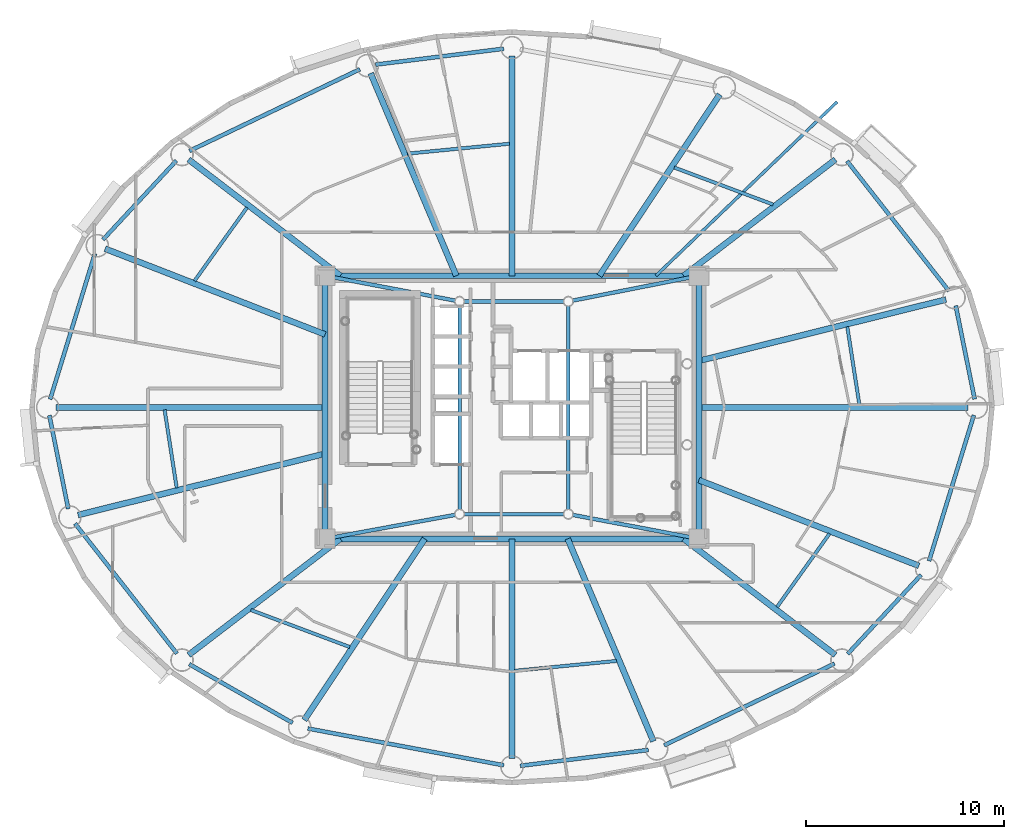
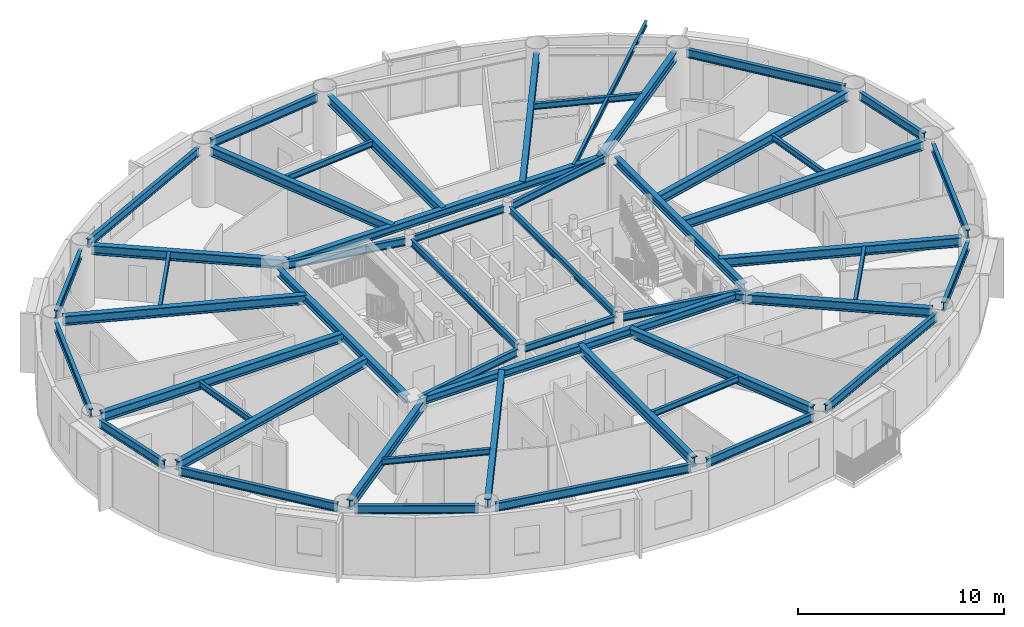
# One storey, part 3 of 18: 51 beams.
"""IFC4 building model written with IfcOpenShell, lengths in metres."""

from ifc_helpers import new_model, si_unit, direction, frame, origin, origin_2d, place, context, subcontext, project, spatial, i_section, extrude, material, material_profile, profile_set, type_object, element, save


model = new_model("IFC4")

# Units and contexts
model_context = context("Model", 3, precision=1e-05, world=origin(), true_north=direction((0.0, 1.0)))
body_context = subcontext(model_context, "Body", "Model", "MODEL_VIEW")
ifc_project = project(units=[si_unit("LENGTHUNIT", "METRE"), si_unit("AREAUNIT", "SQUARE_METRE"), si_unit("VOLUMEUNIT", "CUBIC_METRE"), si_unit("PLANEANGLEUNIT", "RADIAN"), si_unit("MASSUNIT", "GRAM", prefix="KILO")], contexts=[model_context])

# Site, building, storey
site_placement = place(None, origin())
site = spatial("IfcSite", under=ifc_project, at=site_placement, CompositionType="ELEMENT")
building_placement = place(site_placement, origin())
building = spatial("IfcBuilding", under=site, at=building_placement, Name="Linh Dai School and Residence Tower", CompositionType="ELEMENT")
storey_placement = place(building_placement, frame((0.0, 0.0, 225.300048828125)))
storey = spatial("IfcBuildingStorey", under=building, at=storey_placement, Name="L55", CompositionType="ELEMENT", Elevation=225.300048828125)

# Beams
ifc_material = material(Name="Structural Steel S355JR", Category="steel")
ifc_material_profile_1 = material_profile(ifc_material, i_section(OverallWidth=0.14990234375, OverallDepth=0.300048828125, WebThickness=0.007080078125, FlangeThickness=0.0107421875, at=origin_2d()), Name="IPE 300")
ifc_profile_set_1 = profile_set([ifc_material_profile_1], Name="Structural Steel S355JR")
beam_type_1 = type_object("IfcBeamType", Name="BM-BALC-CANT", PredefinedType="BEAM", material=ifc_profile_set_1)
beam_1_placement = place(storey_placement, frame((43.27392578125, 33.64990234375, 3.349853515625), z_axis=(0.7215581557, 0.692353831464, 0.0), x_axis=(-0.692353831464, 0.7215581557, 0.0)))
element("IfcBeam", 1, at=beam_1_placement, inside=storey, type_object=beam_type_1, Name="L56 Balcony Continuous Cantilever Beam 06", PredefinedType="BEAM", context=body_context, shape_type="SweptSolid", body=[
    extrude(i_section(OverallWidth=0.14990234375, OverallDepth=0.300048828125, WebThickness=0.007080078125, FlangeThickness=0.0107421875, at=origin_2d()), origin(), (0.0, 0.0, 1.0), 12.706787109375),
])
ifc_material_profile_2 = material_profile(ifc_material, i_section(OverallWidth=0.199951171875, OverallDepth=0.5, WebThickness=0.01025390625, FlangeThickness=0.01611328125, FilletRadius=0.02099609375, at=origin_2d()), Name="IPE 500")
ifc_profile_set_2 = profile_set([ifc_material_profile_2], Name="Structural Steel S355JR")
beam_type_2 = type_object("IfcBeamType", Name="BM-RB50", PredefinedType="BEAM", material=ifc_profile_set_2)
beam_2_placement = place(storey_placement, frame((59.3916015625, 27.41162109375, 3.25), z_axis=(-0.198423200906, 0.980116438666, 0.0), x_axis=(-0.980116438666, -0.198423200906, 0.0)))
element("IfcBeam", 2, at=beam_2_placement, inside=storey, type_object=beam_type_2, Name="L55 Perimeter Elliptical Ring Beam 01", PredefinedType="BEAM", context=body_context, shape_type="SweptSolid", body=[
    extrude(i_section(OverallWidth=0.199951171875, OverallDepth=0.5, WebThickness=0.01025390625, FlangeThickness=0.01611328125, FilletRadius=0.02099609375, at=origin_2d()), origin(), (0.0, 0.0, 1.0), 4.822021484375),
])
beam_3_placement = place(storey_placement, frame((58.09228515625, 32.8798828125, 3.25), z_axis=(-0.616900268003, 0.787041332674, 0.0), x_axis=(-0.787041332674, -0.616900268003, 0.0)))
element("IfcBeam", 3, at=beam_3_placement, inside=storey, type_object=beam_type_2, Name="L55 Perimeter Elliptical Ring Beam 02", PredefinedType="BEAM", context=body_context, shape_type="SweptSolid", body=[
    extrude(i_section(OverallWidth=0.199951171875, OverallDepth=0.5, WebThickness=0.01025390625, FlangeThickness=0.01611328125, FilletRadius=0.02099609375, at=origin_2d()), origin(), (0.0, 0.0, 1.0), 8.348388671875),
])
beam_4_placement = place(storey_placement, frame((35.583251953125, 45.12841796875, 3.25), z_axis=(-0.992401656104, -0.123040452539, 0.0), x_axis=(0.123040452539, -0.992401656104, 0.0)))
element("IfcBeam", 4, at=beam_4_placement, inside=storey, type_object=beam_type_2, Name="L55 Perimeter Elliptical Ring Beam 05", PredefinedType="BEAM", context=body_context, shape_type="SweptSolid", body=[
    extrude(i_section(OverallWidth=0.199951171875, OverallDepth=0.5, WebThickness=0.01025390625, FlangeThickness=0.01611328125, FilletRadius=0.02099609375, at=origin_2d()), origin(), (0.0, 0.0, 1.0), 6.528076171875),
])
beam_5_placement = place(storey_placement, frame((28.309326171875, 44.092041015625, 3.25), z_axis=(-0.901735920201, -0.432287323686, 0.0), x_axis=(0.432287323686, -0.901735920201, 0.0)))
element("IfcBeam", 5, at=beam_5_placement, inside=storey, type_object=beam_type_2, Name="L55 Perimeter Elliptical Ring Beam 06", PredefinedType="BEAM", context=body_context, shape_type="SweptSolid", body=[
    extrude(i_section(OverallWidth=0.199951171875, OverallDepth=0.5, WebThickness=0.01025390625, FlangeThickness=0.01611328125, FilletRadius=0.02099609375, at=origin_2d()), origin(), (0.0, 0.0, 1.0), 9.552490234375),
])
beam_6_placement = place(storey_placement, frame((19.031005859375, 39.47314453125, 3.25), z_axis=(-0.68040816846, -0.732833353699, 0.0), x_axis=(0.732833353699, -0.68040816846, 0.0)))
element("IfcBeam", 6, at=beam_6_placement, inside=storey, type_object=beam_type_2, Name="L55 Perimeter Elliptical Ring Beam 07", PredefinedType="BEAM", context=body_context, shape_type="SweptSolid", body=[
    extrude(i_section(OverallWidth=0.199951171875, OverallDepth=0.5, WebThickness=0.01025390625, FlangeThickness=0.01611328125, FilletRadius=0.02099609375, at=origin_2d()), origin(), (0.0, 0.0, 1.0), 5.453369140625),
])
beam_7_placement = place(storey_placement, frame((14.911376953125, 34.767578125, 3.25), z_axis=(-0.293660595717, -0.95590975229, 0.0), x_axis=(0.95590975229, -0.293660595717, 0.0)))
element("IfcBeam", 7, at=beam_7_placement, inside=storey, type_object=beam_type_2, Name="L55 Perimeter Elliptical Ring Beam 08", PredefinedType="BEAM", context=body_context, shape_type="SweptSolid", body=[
    extrude(i_section(OverallWidth=0.199951171875, OverallDepth=0.5, WebThickness=0.01025390625, FlangeThickness=0.01611328125, FilletRadius=0.02099609375, at=origin_2d()), origin(), (0.0, 0.0, 1.0), 7.7060546875),
])
beam_8_placement = place(storey_placement, frame((12.6083984375, 26.58837890625, 3.25), z_axis=(0.198423200906, -0.980116438666, 0.0), x_axis=(0.980116438666, 0.198423200906, 0.0)))
element("IfcBeam", 8, at=beam_8_placement, inside=storey, type_object=beam_type_2, Name="L55 Perimeter Elliptical Ring Beam 09", PredefinedType="BEAM", context=body_context, shape_type="SweptSolid", body=[
    extrude(i_section(OverallWidth=0.199951171875, OverallDepth=0.5, WebThickness=0.01025390625, FlangeThickness=0.01611328125, FilletRadius=0.02099609375, at=origin_2d()), origin(), (0.0, 0.0, 1.0), 4.822021484375),
])
beam_9_placement = place(storey_placement, frame((13.90771484375, 21.1201171875, 3.25), z_axis=(0.616900268003, -0.787041332674, 0.0), x_axis=(0.787041332674, 0.616900268003, 0.0)))
element("IfcBeam", 9, at=beam_9_placement, inside=storey, type_object=beam_type_2, Name="L55 Perimeter Elliptical Ring Beam 10", PredefinedType="BEAM", context=body_context, shape_type="SweptSolid", body=[
    extrude(i_section(OverallWidth=0.199951171875, OverallDepth=0.5, WebThickness=0.01025390625, FlangeThickness=0.01611328125, FilletRadius=0.02099609375, at=origin_2d()), origin(), (0.0, 0.0, 1.0), 8.348388671875),
])
beam_10_placement = place(storey_placement, frame((19.681884765625, 14.011474609375, 3.25), z_axis=(0.869297314463, -0.494289570058, 0.0), x_axis=(0.494289570058, 0.869297314463, 0.0)))
element("IfcBeam", 10, at=beam_10_placement, inside=storey, type_object=beam_type_2, Name="L55 Perimeter Elliptical Ring Beam 11", PredefinedType="BEAM", context=body_context, shape_type="SweptSolid", body=[
    extrude(i_section(OverallWidth=0.199951171875, OverallDepth=0.5, WebThickness=0.01025390625, FlangeThickness=0.01611328125, FilletRadius=0.02099609375, at=origin_2d()), origin(), (0.0, 0.0, 1.0), 6.003173828125),
])
beam_11_placement = place(storey_placement, frame((25.67822265625, 10.759033203125, 3.25), z_axis=(0.982806607762, -0.184637947722, 0.0), x_axis=(0.184637947722, 0.982806607762, 0.0)))
element("IfcBeam", 11, at=beam_11_placement, inside=storey, type_object=beam_type_2, Name="L55 Perimeter Elliptical Ring Beam 12", PredefinedType="BEAM", context=body_context, shape_type="SweptSolid", body=[
    extrude(i_section(OverallWidth=0.199951171875, OverallDepth=0.5, WebThickness=0.01025390625, FlangeThickness=0.01611328125, FilletRadius=0.02099609375, at=origin_2d()), origin(), (0.0, 0.0, 1.0), 10.082275390625),
])
beam_12_placement = place(storey_placement, frame((36.416748046875, 8.87158203125, 3.25), z_axis=(0.992401656104, 0.123040452539, 0.0), x_axis=(-0.123040452539, 0.992401656104, 0.0)))
element("IfcBeam", 12, at=beam_12_placement, inside=storey, type_object=beam_type_2, Name="L55 Perimeter Elliptical Ring Beam 13", PredefinedType="BEAM", context=body_context, shape_type="SweptSolid", body=[
    extrude(i_section(OverallWidth=0.199951171875, OverallDepth=0.5, WebThickness=0.01025390625, FlangeThickness=0.01611328125, FilletRadius=0.02099609375, at=origin_2d()), origin(), (0.0, 0.0, 1.0), 6.528076171875),
])
beam_13_placement = place(storey_placement, frame((43.690673828125, 9.907958984375, 3.25), z_axis=(0.901735920201, 0.432287323686, 0.0), x_axis=(-0.432287323686, 0.901735920201, 0.0)))
element("IfcBeam", 13, at=beam_13_placement, inside=storey, type_object=beam_type_2, Name="L55 Perimeter Elliptical Ring Beam 14", PredefinedType="BEAM", context=body_context, shape_type="SweptSolid", body=[
    extrude(i_section(OverallWidth=0.199951171875, OverallDepth=0.5, WebThickness=0.01025390625, FlangeThickness=0.01611328125, FilletRadius=0.02099609375, at=origin_2d()), origin(), (0.0, 0.0, 1.0), 9.552490234375),
])
beam_14_placement = place(storey_placement, frame((52.968994140625, 14.52685546875, 3.25), z_axis=(0.68040816846, 0.732833353699, 0.0), x_axis=(-0.732833353699, 0.68040816846, 0.0)))
element("IfcBeam", 14, at=beam_14_placement, inside=storey, type_object=beam_type_2, Name="L55 Perimeter Elliptical Ring Beam 15", PredefinedType="BEAM", context=body_context, shape_type="SweptSolid", body=[
    extrude(i_section(OverallWidth=0.199951171875, OverallDepth=0.5, WebThickness=0.01025390625, FlangeThickness=0.01611328125, FilletRadius=0.02099609375, at=origin_2d()), origin(), (0.0, 0.0, 1.0), 5.453369140625),
])
beam_15_placement = place(storey_placement, frame((57.088623046875, 19.232421875, 3.25), z_axis=(0.293660595717, 0.95590975229, 0.0), x_axis=(-0.95590975229, 0.293660595717, 0.0)))
element("IfcBeam", 15, at=beam_15_placement, inside=storey, type_object=beam_type_2, Name="L55 Perimeter Elliptical Ring Beam 16", PredefinedType="BEAM", context=body_context, shape_type="SweptSolid", body=[
    extrude(i_section(OverallWidth=0.199951171875, OverallDepth=0.5, WebThickness=0.01025390625, FlangeThickness=0.01611328125, FilletRadius=0.02099609375, at=origin_2d()), origin(), (0.0, 0.0, 1.0), 7.7060546875),
])
ifc_material_profile_3 = material_profile(ifc_material, i_section(OverallWidth=0.300048828125, OverallDepth=0.449951171875, WebThickness=0.013916015625, FlangeThickness=0.02587890625, FilletRadius=0.027099609375, at=origin_2d()), Name="HEB 450")
ifc_profile_set_3 = profile_set([ifc_material_profile_3], Name="Structural Steel S355JR")
beam_type_3 = type_object("IfcBeamType", Name="BM-RG45", PredefinedType="BEAM", material=ifc_profile_set_3)
beam_16_placement = place(storey_placement, frame((26.969970703125, 20.35009765625, 3.27490234375), z_axis=(1.0, 0.0, 0.0), x_axis=(0.0, 1.0, 0.0)))
element("IfcBeam", 16, at=beam_16_placement, inside=storey, type_object=beam_type_3, Name="L55 Core Perimeter Coupling Girder 1", PredefinedType="BEAM", context=body_context, shape_type="SweptSolid", body=[
    extrude(i_section(OverallWidth=0.300048828125, OverallDepth=0.449951171875, WebThickness=0.013916015625, FlangeThickness=0.02587890625, FilletRadius=0.027099609375, at=origin_2d()), origin(), (0.0, 0.0, 1.0), 18.06005859375),
])
beam_17_placement = place(storey_placement, frame((45.449951171875, 20.77001953125, 3.27490234375), z_axis=(0.0, 1.0, 0.0), x_axis=(-1.0, 0.0, 0.0)))
element("IfcBeam", 17, at=beam_17_placement, inside=storey, type_object=beam_type_3, Name="L55 Core Perimeter Coupling Girder 2", PredefinedType="BEAM", context=body_context, shape_type="SweptSolid", body=[
    extrude(i_section(OverallWidth=0.300048828125, OverallDepth=0.449951171875, WebThickness=0.013916015625, FlangeThickness=0.02587890625, FilletRadius=0.027099609375, at=origin_2d()), origin(), (0.0, 0.0, 1.0), 12.4599609375),
])
beam_18_placement = place(storey_placement, frame((45.030029296875, 33.64990234375, 3.27490234375), z_axis=(-1.0, 0.0, 0.0), x_axis=(0.0, -1.0, 0.0)))
element("IfcBeam", 18, at=beam_18_placement, inside=storey, type_object=beam_type_3, Name="L55 Core Perimeter Coupling Girder 3", PredefinedType="BEAM", context=body_context, shape_type="SweptSolid", body=[
    extrude(i_section(OverallWidth=0.300048828125, OverallDepth=0.449951171875, WebThickness=0.013916015625, FlangeThickness=0.02587890625, FilletRadius=0.027099609375, at=origin_2d()), origin(), (0.0, 0.0, 1.0), 18.06005859375),
])
beam_19_placement = place(storey_placement, frame((26.550048828125, 33.22998046875, 3.27490234375), z_axis=(0.0, -1.0, 0.0), x_axis=(1.0, 0.0, 0.0)))
element("IfcBeam", 19, at=beam_19_placement, inside=storey, type_object=beam_type_3, Name="L55 Core Perimeter Coupling Girder 4", PredefinedType="BEAM", context=body_context, shape_type="SweptSolid", body=[
    extrude(i_section(OverallWidth=0.300048828125, OverallDepth=0.449951171875, WebThickness=0.013916015625, FlangeThickness=0.02587890625, FilletRadius=0.027099609375, at=origin_2d()), origin(), (0.0, 0.0, 1.0), 12.4599609375),
])
ifc_material_profile_4 = material_profile(ifc_material, i_section(OverallWidth=0.300048828125, OverallDepth=0.550048828125, WebThickness=0.014892578125, FlangeThickness=0.029052734375, FilletRadius=0.027099609375, at=origin_2d()), Name="HEB 550")
ifc_profile_set_4 = profile_set([ifc_material_profile_4], Name="Structural Steel S355JR")
beam_type_4 = type_object("IfcBeamType", Name="BM-RG55", PredefinedType="BEAM", material=ifc_profile_set_4)
beam_20_placement = place(storey_placement, frame((45.449951171875, 27.0, 3.224853515625), z_axis=(1.0, 0.0, 0.0), x_axis=(0.0, 1.0, 0.0)))
element("IfcBeam", 20, at=beam_20_placement, inside=storey, type_object=beam_type_4, Name="L55 Primary Radial Floor Girder 01", PredefinedType="BEAM", context=body_context, shape_type="SweptSolid", body=[
    extrude(i_section(OverallWidth=0.300048828125, OverallDepth=0.550048828125, WebThickness=0.014892578125, FlangeThickness=0.029052734375, FilletRadius=0.027099609375, at=origin_2d()), origin(), (0.0, 0.0, 1.0), 13.60498046875),
])
beam_21_placement = place(storey_placement, frame((45.449951171875, 29.34619140625, 3.224853515625), z_axis=(0.970537241974, 0.240951160904, 0.0), x_axis=(-0.240951160904, 0.970537241974, 0.0)))
element("IfcBeam", 21, at=beam_21_placement, inside=storey, type_object=beam_type_4, Name="L55 Primary Radial Floor Girder 02", PredefinedType="BEAM", context=body_context, shape_type="SweptSolid", body=[
    extrude(i_section(OverallWidth=0.300048828125, OverallDepth=0.550048828125, WebThickness=0.014892578125, FlangeThickness=0.029052734375, FilletRadius=0.027099609375, at=origin_2d()), origin(), (0.0, 0.0, 1.0), 12.873291015625),
])
beam_22_placement = place(storey_placement, frame((44.680419921875, 33.64990234375, 3.224853515625), z_axis=(0.793814553483, 0.608159892363, 0.0), x_axis=(-0.608159892363, 0.793814553483, 0.0)))
element("IfcBeam", 22, at=beam_22_placement, inside=storey, type_object=beam_type_4, Name="L55 Primary Radial Floor Girder 03", PredefinedType="BEAM", context=body_context, shape_type="SweptSolid", body=[
    extrude(i_section(OverallWidth=0.300048828125, OverallDepth=0.550048828125, WebThickness=0.014892578125, FlangeThickness=0.029052734375, FilletRadius=0.027099609375, at=origin_2d()), origin(), (0.0, 0.0, 1.0), 9.661376953125),
])
beam_23_placement = place(storey_placement, frame((40.41650390625, 33.64990234375, 3.224853515625), z_axis=(0.553219177991, 0.833035738191, 0.0), x_axis=(-0.833035738191, 0.553219177991, 0.0)))
element("IfcBeam", 23, at=beam_23_placement, inside=storey, type_object=beam_type_4, Name="L55 Primary Radial Floor Girder 04", PredefinedType="BEAM", context=body_context, shape_type="SweptSolid", body=[
    extrude(i_section(OverallWidth=0.300048828125, OverallDepth=0.550048828125, WebThickness=0.014892578125, FlangeThickness=0.029052734375, FilletRadius=0.027099609375, at=origin_2d()), origin(), (0.0, 0.0, 1.0), 11.00048828125),
])
beam_24_placement = place(storey_placement, frame((36.0, 33.64990234375, 3.224853515625), z_axis=(0.0, 1.0, 0.0), x_axis=(-1.0, 0.0, 0.0)))
element("IfcBeam", 24, at=beam_24_placement, inside=storey, type_object=beam_type_4, Name="L55 Primary Radial Floor Girder 05", PredefinedType="BEAM", context=body_context, shape_type="SweptSolid", body=[
    extrude(i_section(OverallWidth=0.300048828125, OverallDepth=0.550048828125, WebThickness=0.014892578125, FlangeThickness=0.029052734375, FilletRadius=0.027099609375, at=origin_2d()), origin(), (0.0, 0.0, 1.0), 11.110107421875),
])
beam_25_placement = place(storey_placement, frame((33.18505859375, 33.64990234375, 3.224853515625), z_axis=(-0.389814803082, 0.920893272479, 0.0), x_axis=(-0.920893272479, -0.389814803082, 0.0)))
element("IfcBeam", 25, at=beam_25_placement, inside=storey, type_object=beam_type_4, Name="L55 Primary Radial Floor Girder 06", PredefinedType="BEAM", context=body_context, shape_type="SweptSolid", body=[
    extrude(i_section(OverallWidth=0.300048828125, OverallDepth=0.550048828125, WebThickness=0.014892578125, FlangeThickness=0.029052734375, FilletRadius=0.027099609375, at=origin_2d()), origin(), (0.0, 0.0, 1.0), 11.1162109375),
])
beam_26_placement = place(storey_placement, frame((27.319580078125, 33.64990234375, 3.224853515625), z_axis=(-0.793814553483, 0.608159892363, 0.0), x_axis=(-0.608159892363, -0.793814553483, 0.0)))
element("IfcBeam", 26, at=beam_26_placement, inside=storey, type_object=beam_type_4, Name="L55 Primary Radial Floor Girder 07", PredefinedType="BEAM", context=body_context, shape_type="SweptSolid", body=[
    extrude(i_section(OverallWidth=0.300048828125, OverallDepth=0.550048828125, WebThickness=0.014892578125, FlangeThickness=0.029052734375, FilletRadius=0.027099609375, at=origin_2d()), origin(), (0.0, 0.0, 1.0), 9.661376953125),
])
beam_27_placement = place(storey_placement, frame((26.550048828125, 30.68212890625, 3.224853515625), z_axis=(-0.931764994123, 0.363061972295, 0.0), x_axis=(-0.363061972295, -0.931764994123, 0.0)))
element("IfcBeam", 27, at=beam_27_placement, inside=storey, type_object=beam_type_4, Name="L55 Primary Radial Floor Girder 08", PredefinedType="BEAM", context=body_context, shape_type="SweptSolid", body=[
    extrude(i_section(OverallWidth=0.300048828125, OverallDepth=0.550048828125, WebThickness=0.014892578125, FlangeThickness=0.029052734375, FilletRadius=0.027099609375, at=origin_2d()), origin(), (0.0, 0.0, 1.0), 11.938720703125),
])
beam_28_placement = place(storey_placement, frame((26.550048828125, 27.0, 3.224853515625), z_axis=(-1.0, 0.0, 0.0), x_axis=(0.0, -1.0, 0.0)))
element("IfcBeam", 28, at=beam_28_placement, inside=storey, type_object=beam_type_4, Name="L55 Primary Radial Floor Girder 09", PredefinedType="BEAM", context=body_context, shape_type="SweptSolid", body=[
    extrude(i_section(OverallWidth=0.300048828125, OverallDepth=0.550048828125, WebThickness=0.014892578125, FlangeThickness=0.029052734375, FilletRadius=0.027099609375, at=origin_2d()), origin(), (0.0, 0.0, 1.0), 13.60498046875),
])
beam_29_placement = place(storey_placement, frame((26.550048828125, 24.65380859375, 3.224853515625), z_axis=(-0.970537241974, -0.240951160904, 0.0), x_axis=(0.240951160904, -0.970537241974, 0.0)))
element("IfcBeam", 29, at=beam_29_placement, inside=storey, type_object=beam_type_4, Name="L55 Primary Radial Floor Girder 10", PredefinedType="BEAM", context=body_context, shape_type="SweptSolid", body=[
    extrude(i_section(OverallWidth=0.300048828125, OverallDepth=0.550048828125, WebThickness=0.014892578125, FlangeThickness=0.029052734375, FilletRadius=0.027099609375, at=origin_2d()), origin(), (0.0, 0.0, 1.0), 12.873291015625),
])
beam_30_placement = place(storey_placement, frame((27.319580078125, 20.35009765625, 3.224853515625), z_axis=(-0.793814553483, -0.608159892363, 0.0), x_axis=(0.608159892363, -0.793814553483, 0.0)))
element("IfcBeam", 30, at=beam_30_placement, inside=storey, type_object=beam_type_4, Name="L55 Primary Radial Floor Girder 11", PredefinedType="BEAM", context=body_context, shape_type="SweptSolid", body=[
    extrude(i_section(OverallWidth=0.300048828125, OverallDepth=0.550048828125, WebThickness=0.014892578125, FlangeThickness=0.029052734375, FilletRadius=0.027099609375, at=origin_2d()), origin(), (0.0, 0.0, 1.0), 9.661376953125),
])
beam_31_placement = place(storey_placement, frame((31.58349609375, 20.35009765625, 3.224853515625), z_axis=(-0.553219177991, -0.833035738191, 0.0), x_axis=(0.833035738191, -0.553219177991, 0.0)))
element("IfcBeam", 31, at=beam_31_placement, inside=storey, type_object=beam_type_4, Name="L55 Primary Radial Floor Girder 12", PredefinedType="BEAM", context=body_context, shape_type="SweptSolid", body=[
    extrude(i_section(OverallWidth=0.300048828125, OverallDepth=0.550048828125, WebThickness=0.014892578125, FlangeThickness=0.029052734375, FilletRadius=0.027099609375, at=origin_2d()), origin(), (0.0, 0.0, 1.0), 11.00048828125),
])
beam_32_placement = place(storey_placement, frame((36.0, 20.35009765625, 3.224853515625), z_axis=(0.0, -1.0, 0.0), x_axis=(1.0, 0.0, 0.0)))
element("IfcBeam", 32, at=beam_32_placement, inside=storey, type_object=beam_type_4, Name="L55 Primary Radial Floor Girder 13", PredefinedType="BEAM", context=body_context, shape_type="SweptSolid", body=[
    extrude(i_section(OverallWidth=0.300048828125, OverallDepth=0.550048828125, WebThickness=0.014892578125, FlangeThickness=0.029052734375, FilletRadius=0.027099609375, at=origin_2d()), origin(), (0.0, 0.0, 1.0), 11.110107421875),
])
beam_33_placement = place(storey_placement, frame((38.81494140625, 20.35009765625, 3.224853515625), z_axis=(0.389814803082, -0.920893272479, 0.0), x_axis=(0.920893272479, 0.389814803082, 0.0)))
element("IfcBeam", 33, at=beam_33_placement, inside=storey, type_object=beam_type_4, Name="L55 Primary Radial Floor Girder 14", PredefinedType="BEAM", context=body_context, shape_type="SweptSolid", body=[
    extrude(i_section(OverallWidth=0.300048828125, OverallDepth=0.550048828125, WebThickness=0.014892578125, FlangeThickness=0.029052734375, FilletRadius=0.027099609375, at=origin_2d()), origin(), (0.0, 0.0, 1.0), 11.1162109375),
])
beam_34_placement = place(storey_placement, frame((44.680419921875, 20.35009765625, 3.224853515625), z_axis=(0.793814553483, -0.608159892363, 0.0), x_axis=(0.608159892363, 0.793814553483, 0.0)))
element("IfcBeam", 34, at=beam_34_placement, inside=storey, type_object=beam_type_4, Name="L55 Primary Radial Floor Girder 15", PredefinedType="BEAM", context=body_context, shape_type="SweptSolid", body=[
    extrude(i_section(OverallWidth=0.300048828125, OverallDepth=0.550048828125, WebThickness=0.014892578125, FlangeThickness=0.029052734375, FilletRadius=0.027099609375, at=origin_2d()), origin(), (0.0, 0.0, 1.0), 9.661376953125),
])
beam_35_placement = place(storey_placement, frame((45.449951171875, 23.31787109375, 3.224853515625), z_axis=(0.931764994123, -0.363061972295, 0.0), x_axis=(0.363061972295, 0.931764994123, 0.0)))
element("IfcBeam", 35, at=beam_35_placement, inside=storey, type_object=beam_type_4, Name="L55 Primary Radial Floor Girder 16", PredefinedType="BEAM", context=body_context, shape_type="SweptSolid", body=[
    extrude(i_section(OverallWidth=0.300048828125, OverallDepth=0.550048828125, WebThickness=0.014892578125, FlangeThickness=0.029052734375, FilletRadius=0.027099609375, at=origin_2d()), origin(), (0.0, 0.0, 1.0), 11.938720703125),
])
ifc_material_profile_5 = material_profile(ifc_material, i_section(OverallWidth=0.169921875, OverallDepth=0.360107421875, WebThickness=0.008056640625, FlangeThickness=0.0126953125, FilletRadius=0.01806640625, at=origin_2d()), Name="IPE 360")
ifc_profile_set_5 = profile_set([ifc_material_profile_5], Name="Structural Steel S355JR")
beam_type_5 = type_object("IfcBeamType", Name="BM-SB36", PredefinedType="BEAM", material=ifc_profile_set_5)
beam_36_placement = place(storey_placement, frame((53.564697265625, 27.12841796875, 3.320068359375), z_axis=(-0.153237508203, 0.988189387759, 0.0), x_axis=(-0.988189387759, -0.153237508203, 0.0)))
element("IfcBeam", 36, at=beam_36_placement, inside=storey, type_object=beam_type_5, Name="L55 Secondary Circumferential Floor Beam 01", PredefinedType="BEAM", context=body_context, shape_type="SweptSolid", body=[
    extrude(i_section(OverallWidth=0.169921875, OverallDepth=0.360107421875, WebThickness=0.008056640625, FlangeThickness=0.0126953125, FilletRadius=0.01806640625, at=origin_2d()), origin(), (0.0, 0.0, 1.0), 3.994140625),
])
beam_37_placement = place(storey_placement, frame((49.2001953125, 37.25146484375, 3.320068359375), z_axis=(-0.936528326754, 0.350591918315, 0.0), x_axis=(-0.350591918315, -0.936528326754, 0.0)))
element("IfcBeam", 37, at=beam_37_placement, inside=storey, type_object=beam_type_5, Name="L55 Secondary Circumferential Floor Beam 02", PredefinedType="BEAM", context=body_context, shape_type="SweptSolid", body=[
    extrude(i_section(OverallWidth=0.169921875, OverallDepth=0.360107421875, WebThickness=0.008056640625, FlangeThickness=0.0126953125, FilletRadius=0.01806640625, at=origin_2d()), origin(), (0.0, 0.0, 1.0), 5.336181640625),
])
beam_38_placement = place(storey_placement, frame((35.87060546875, 40.324951171875, 3.320068359375), z_axis=(-0.995332680487, -0.096503135467, 0.0), x_axis=(0.096503135467, -0.995332680487, 0.0)))
element("IfcBeam", 38, at=beam_38_placement, inside=storey, type_object=beam_type_5, Name="L55 Secondary Circumferential Floor Beam 03", PredefinedType="BEAM", context=body_context, shape_type="SweptSolid", body=[
    extrude(i_section(OverallWidth=0.169921875, OverallDepth=0.360107421875, WebThickness=0.008056640625, FlangeThickness=0.0126953125, FilletRadius=0.01806640625, at=origin_2d()), origin(), (0.0, 0.0, 1.0), 5.188720703125),
])
beam_39_placement = place(storey_placement, frame((22.602294921875, 37.100341796875, 3.320068359375), z_axis=(-0.582017423054, -0.813176314991, 0.0), x_axis=(0.813176314991, -0.582017423054, 0.0)))
element("IfcBeam", 39, at=beam_39_placement, inside=storey, type_object=beam_type_5, Name="L55 Secondary Circumferential Floor Beam 04", PredefinedType="BEAM", context=body_context, shape_type="SweptSolid", body=[
    extrude(i_section(OverallWidth=0.169921875, OverallDepth=0.360107421875, WebThickness=0.008056640625, FlangeThickness=0.0126953125, FilletRadius=0.01806640625, at=origin_2d()), origin(), (0.0, 0.0, 1.0), 4.5625),
])
beam_40_placement = place(storey_placement, frame((18.435302734375, 26.87158203125, 3.320068359375), z_axis=(0.153237508203, -0.988189387759, 0.0), x_axis=(0.988189387759, 0.153237508203, 0.0)))
element("IfcBeam", 40, at=beam_40_placement, inside=storey, type_object=beam_type_5, Name="L55 Secondary Circumferential Floor Beam 05", PredefinedType="BEAM", context=body_context, shape_type="SweptSolid", body=[
    extrude(i_section(OverallWidth=0.169921875, OverallDepth=0.360107421875, WebThickness=0.008056640625, FlangeThickness=0.0126953125, FilletRadius=0.01806640625, at=origin_2d()), origin(), (0.0, 0.0, 1.0), 3.994140625),
])
beam_41_placement = place(storey_placement, frame((22.7998046875, 16.74853515625, 3.320068359375), z_axis=(0.936528326754, -0.350591918315, 0.0), x_axis=(0.350591918315, 0.936528326754, 0.0)))
element("IfcBeam", 41, at=beam_41_placement, inside=storey, type_object=beam_type_5, Name="L55 Secondary Circumferential Floor Beam 06", PredefinedType="BEAM", context=body_context, shape_type="SweptSolid", body=[
    extrude(i_section(OverallWidth=0.169921875, OverallDepth=0.360107421875, WebThickness=0.008056640625, FlangeThickness=0.0126953125, FilletRadius=0.01806640625, at=origin_2d()), origin(), (0.0, 0.0, 1.0), 5.336181640625),
])
beam_42_placement = place(storey_placement, frame((36.12939453125, 13.675048828125, 3.320068359375), z_axis=(0.995332680487, 0.096503135467, 0.0), x_axis=(-0.096503135467, 0.995332680487, 0.0)))
element("IfcBeam", 42, at=beam_42_placement, inside=storey, type_object=beam_type_5, Name="L55 Secondary Circumferential Floor Beam 07", PredefinedType="BEAM", context=body_context, shape_type="SweptSolid", body=[
    extrude(i_section(OverallWidth=0.169921875, OverallDepth=0.360107421875, WebThickness=0.008056640625, FlangeThickness=0.0126953125, FilletRadius=0.01806640625, at=origin_2d()), origin(), (0.0, 0.0, 1.0), 5.188720703125),
])
beam_43_placement = place(storey_placement, frame((49.397705078125, 16.899658203125, 3.320068359375), z_axis=(0.582017423054, 0.813176314991, 0.0), x_axis=(-0.813176314991, 0.582017423054, 0.0)))
element("IfcBeam", 43, at=beam_43_placement, inside=storey, type_object=beam_type_5, Name="L55 Secondary Circumferential Floor Beam 08", PredefinedType="BEAM", context=body_context, shape_type="SweptSolid", body=[
    extrude(i_section(OverallWidth=0.169921875, OverallDepth=0.360107421875, WebThickness=0.008056640625, FlangeThickness=0.0126953125, FilletRadius=0.01806640625, at=origin_2d()), origin(), (0.0, 0.0, 1.0), 4.5625),
])
ifc_material_profile_6 = material_profile(ifc_material, i_section(OverallWidth=0.179931640625, OverallDepth=0.39990234375, WebThickness=0.008544921875, FlangeThickness=0.013427734375, FilletRadius=0.02099609375, at=origin_2d()), Name="IPE 400")
ifc_profile_set_6 = profile_set([ifc_material_profile_6], Name="Structural Steel S355JR")
beam_type_6 = type_object("IfcBeamType", Name="BM-SB40", PredefinedType="BEAM", material=ifc_profile_set_6)
beam_44_placement = place(storey_placement, frame((33.573974609375, 21.60009765625, 3.300048828125), z_axis=(1.0, 0.0, 0.0), x_axis=(0.0, 1.0, 0.0)))
element("IfcBeam", 44, at=beam_44_placement, inside=storey, type_object=beam_type_6, Name="L55 Core Mast Pier Tie Beam 1", PredefinedType="BEAM", context=body_context, shape_type="SweptSolid", body=[
    extrude(i_section(OverallWidth=0.179931640625, OverallDepth=0.39990234375, WebThickness=0.008544921875, FlangeThickness=0.013427734375, FilletRadius=0.02099609375, at=origin_2d()), origin(), (0.0, 0.0, 1.0), 5.052001953125),
])
beam_45_placement = place(storey_placement, frame((38.85009765625, 21.823974609375, 3.300048828125), z_axis=(0.0, 1.0, 0.0), x_axis=(-1.0, 0.0, 0.0)))
element("IfcBeam", 45, at=beam_45_placement, inside=storey, type_object=beam_type_6, Name="L55 Core Mast Pier Tie Beam 2", PredefinedType="BEAM", context=body_context, shape_type="SweptSolid", body=[
    extrude(i_section(OverallWidth=0.179931640625, OverallDepth=0.39990234375, WebThickness=0.008544921875, FlangeThickness=0.013427734375, FilletRadius=0.02099609375, at=origin_2d()), origin(), (0.0, 0.0, 1.0), 10.302001953125),
])
beam_46_placement = place(storey_placement, frame((38.6259765625, 32.35009765625, 3.300048828125), z_axis=(-1.0, 0.0, 0.0), x_axis=(0.0, -1.0, 0.0)))
element("IfcBeam", 46, at=beam_46_placement, inside=storey, type_object=beam_type_6, Name="L55 Core Mast Pier Tie Beam 3", PredefinedType="BEAM", context=body_context, shape_type="SweptSolid", body=[
    extrude(i_section(OverallWidth=0.179931640625, OverallDepth=0.39990234375, WebThickness=0.008544921875, FlangeThickness=0.013427734375, FilletRadius=0.02099609375, at=origin_2d()), origin(), (0.0, 0.0, 1.0), 5.052001953125),
])
beam_47_placement = place(storey_placement, frame((33.35009765625, 32.1259765625, 3.300048828125), z_axis=(0.0, -1.0, 0.0), x_axis=(1.0, 0.0, 0.0)))
element("IfcBeam", 47, at=beam_47_placement, inside=storey, type_object=beam_type_6, Name="L55 Core Mast Pier Tie Beam 4", PredefinedType="BEAM", context=body_context, shape_type="SweptSolid", body=[
    extrude(i_section(OverallWidth=0.179931640625, OverallDepth=0.39990234375, WebThickness=0.008544921875, FlangeThickness=0.013427734375, FilletRadius=0.02099609375, at=origin_2d()), origin(), (0.0, 0.0, 1.0), 10.302001953125),
])
ifc_material_profile_7 = material_profile(ifc_material, i_section(OverallWidth=0.18994140625, OverallDepth=0.449951171875, WebThickness=0.009521484375, FlangeThickness=0.0146484375, FilletRadius=0.02099609375, at=origin_2d()), Name="IPE 450")
ifc_profile_set_7 = profile_set([ifc_material_profile_7], Name="Structural Steel S355JR")
beam_type_7 = type_object("IfcBeamType", Name="BM-SB45", PredefinedType="BEAM", material=ifc_profile_set_7)
beam_48_placement = place(storey_placement, frame((26.963134765625, 20.426025390625, 3.27490234375), z_axis=(0.983521034508, 0.180793735182, 0.0), x_axis=(-0.180793735182, 0.983521034508, 0.0)))
element("IfcBeam", 48, at=beam_48_placement, inside=storey, type_object=beam_type_7, Name="L55 Core Corner-to-Mast Pier Beam 1", PredefinedType="BEAM", context=body_context, shape_type="SweptSolid", body=[
    extrude(i_section(OverallWidth=0.18994140625, OverallDepth=0.449951171875, WebThickness=0.009521484375, FlangeThickness=0.0146484375, FilletRadius=0.02099609375, at=origin_2d()), origin(), (0.0, 0.0, 1.0), 6.269775390625),
])
beam_49_placement = place(storey_placement, frame((45.037353515625, 20.42822265625, 3.27490234375), z_axis=(-0.982534706692, 0.186079418921, 0.0), x_axis=(-0.186079418921, -0.982534706692, 0.0)))
element("IfcBeam", 49, at=beam_49_placement, inside=storey, type_object=beam_type_7, Name="L55 Core Corner-to-Mast Pier Beam 2", PredefinedType="BEAM", context=body_context, shape_type="SweptSolid", body=[
    extrude(i_section(OverallWidth=0.18994140625, OverallDepth=0.449951171875, WebThickness=0.009521484375, FlangeThickness=0.0146484375, FilletRadius=0.02099609375, at=origin_2d()), origin(), (0.0, 0.0, 1.0), 6.0732421875),
])
beam_50_placement = place(storey_placement, frame((45.037841796875, 33.56884765625, 3.27490234375), z_axis=(-0.981147696489, -0.193259405138, 0.0), x_axis=(0.193259405138, -0.981147696489, 0.0)))
element("IfcBeam", 50, at=beam_50_placement, inside=storey, type_object=beam_type_7, Name="L55 Core Corner-to-Mast Pier Beam 3", PredefinedType="BEAM", context=body_context, shape_type="SweptSolid", body=[
    extrude(i_section(OverallWidth=0.18994140625, OverallDepth=0.449951171875, WebThickness=0.009521484375, FlangeThickness=0.0146484375, FilletRadius=0.02099609375, at=origin_2d()), origin(), (0.0, 0.0, 1.0), 6.082763671875),
])
beam_51_placement = place(storey_placement, frame((26.962646484375, 33.571044921875, 3.27490234375), z_axis=(0.982214129725, -0.187764222812, 0.0), x_axis=(0.187764222812, 0.982214129725, 0.0)))
element("IfcBeam", 51, at=beam_51_placement, inside=storey, type_object=beam_type_7, Name="L55 Core Corner-to-Mast Pier Beam 4", PredefinedType="BEAM", context=body_context, shape_type="SweptSolid", body=[
    extrude(i_section(OverallWidth=0.18994140625, OverallDepth=0.449951171875, WebThickness=0.009521484375, FlangeThickness=0.0146484375, FilletRadius=0.02099609375, at=origin_2d()), origin(), (0.0, 0.0, 1.0), 6.27880859375),
])

save(model, "model.ifc")
